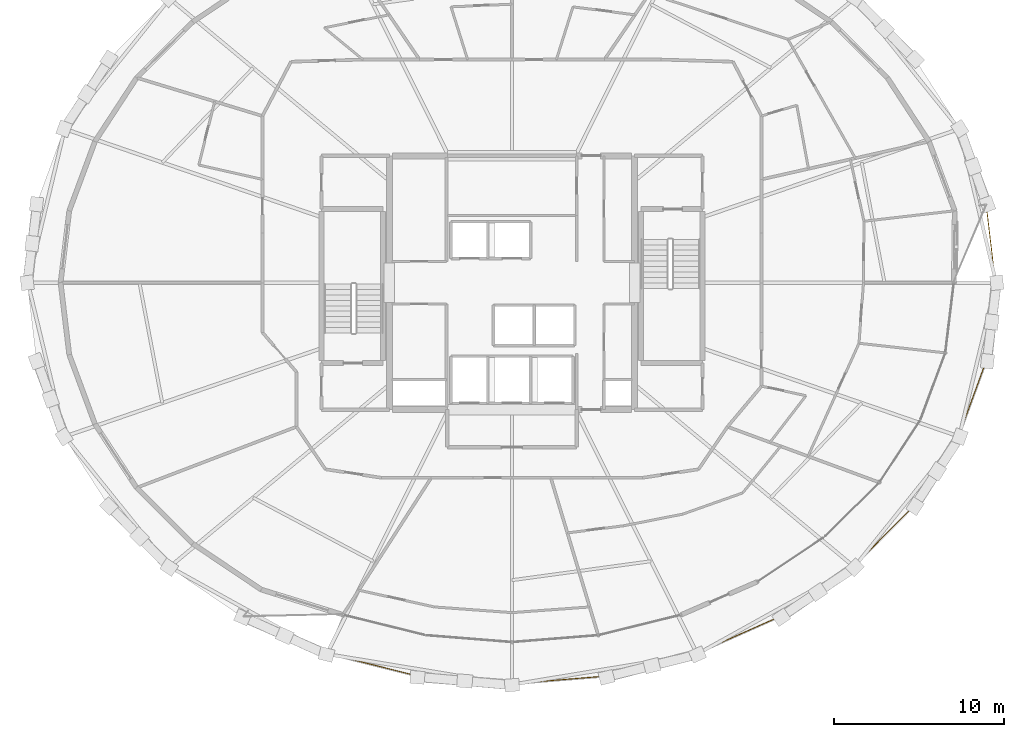
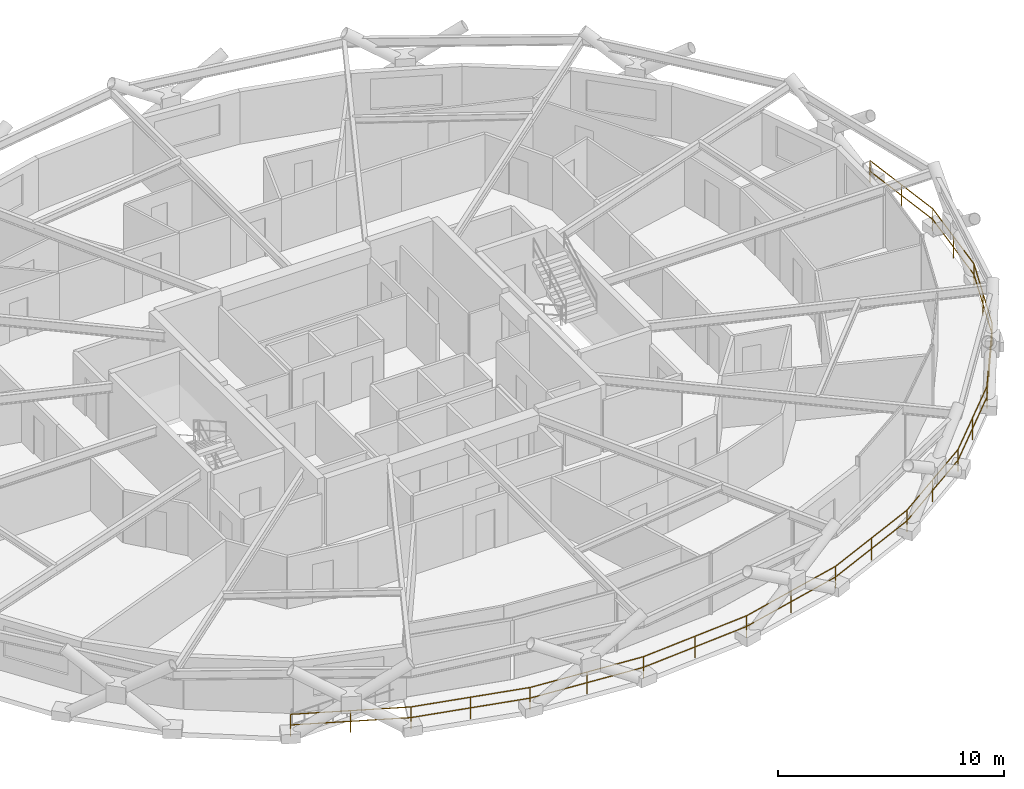
# One storey, part 20 of 21: 1 railing.
"""IFC4 building model written with IfcOpenShell, lengths in metres."""

from ifc_helpers import new_model, si_unit, direction, frame, origin, origin_2d, place, context, subcontext, project, spatial, circle, extrude, material, type_object, element, save


model = new_model("IFC4")

# Units and contexts
model_context = context("Model", 3, precision=1e-05, world=origin(), true_north=direction((0.0, 1.0)))
body_context = subcontext(model_context, "Body", "Model", "MODEL_VIEW")
ifc_project = project(units=[si_unit("LENGTHUNIT", "METRE"), si_unit("AREAUNIT", "SQUARE_METRE"), si_unit("VOLUMEUNIT", "CUBIC_METRE"), si_unit("PLANEANGLEUNIT", "RADIAN"), si_unit("MASSUNIT", "GRAM", prefix="KILO")], contexts=[model_context])

# Site, building, storey
site_placement = place(None, origin())
site = spatial("IfcSite", under=ifc_project, at=site_placement, CompositionType="ELEMENT")
building_placement = place(site_placement, origin())
building = spatial("IfcBuilding", under=site, at=building_placement, Name="Veldorina Hangang Commons", CompositionType="ELEMENT")
storey_placement = place(building_placement, frame((0.0, 0.0, 138.800048828125)))
storey = spatial("IfcBuildingStorey", under=building, at=storey_placement, Name="L35", CompositionType="ELEMENT", Elevation=138.800048828125)

# Railing
ifc_material = material(Name="Glass Laminated Safety Balustrade", Category="glass")
railing_type = type_object("IfcRailingType", Name="RL-BAL-LOGGIA", PredefinedType="BALUSTRADE", material=ifc_material)
railing_placement = place(storey_placement, frame((16.239501953125, 4.42236328125, 0.0)))
element("IfcRailing", 1, at=railing_placement, inside=storey, type_object=railing_type, Name="L35 sky-garden loggia outer balustrade", PredefinedType="BALUSTRADE", context=body_context, shape_type="SweptSolid", body=[
    extrude(circle(Radius=0.02392578125, at=origin_2d()), frame((0.0, 0.0, 1.17578125), z_axis=(0.914278140466, -0.405087005304, 0.0), x_axis=(0.405087005304, 0.914278140466, 0.0)), (0.0, 0.0, 1.0), 5.36572265625),
    extrude(circle(Radius=0.02392578125, at=origin_2d()), frame((0.0, 0.0, 0.60009765625), z_axis=(0.914278140466, -0.405087005304, 0.0), x_axis=(0.405087005304, 0.914278140466, 0.0)), (0.0, 0.0, 1.0), 5.36572265625),
    extrude(circle(Radius=0.02392578125, at=origin_2d()), frame((4.90576171875, -2.173583984375, 1.17578125), z_axis=(0.969819723692, -0.243823098859, 0.0), x_axis=(0.243823098859, 0.969819723692, 0.0)), (0.0, 0.0, 1.0), 5.487060546875),
    extrude(circle(Radius=0.02392578125, at=origin_2d()), frame((4.90576171875, -2.173583984375, 0.60009765625), z_axis=(0.969819723692, -0.243823098859, 0.0), x_axis=(0.243823098859, 0.969819723692, 0.0)), (0.0, 0.0, 1.0), 5.487060546875),
    extrude(circle(Radius=0.02392578125, at=origin_2d()), frame((10.227294921875, -3.511474609375, 1.17578125), z_axis=(0.996685052481, -0.081356660214, 0.0), x_axis=(0.081356660214, 0.996685052481, 0.0)), (0.0, 0.0, 1.0), 5.551513671875),
    extrude(circle(Radius=0.02392578125, at=origin_2d()), frame((10.227294921875, -3.511474609375, 0.60009765625), z_axis=(0.996685052481, -0.081356660214, 0.0), x_axis=(0.081356660214, 0.996685052481, 0.0)), (0.0, 0.0, 1.0), 5.551513671875),
    extrude(circle(Radius=0.02392578125, at=origin_2d()), frame((15.760498046875, -3.963134765625, 1.17578125), z_axis=(0.996685052481, 0.081356660214, 0.0), x_axis=(-0.081356660214, 0.996685052481, 0.0)), (0.0, 0.0, 1.0), 5.551513671875),
    extrude(circle(Radius=0.02392578125, at=origin_2d()), frame((15.760498046875, -3.963134765625, 0.60009765625), z_axis=(0.996685052481, 0.081356660214, 0.0), x_axis=(-0.081356660214, 0.996685052481, 0.0)), (0.0, 0.0, 1.0), 5.551513671875),
    extrude(circle(Radius=0.02392578125, at=origin_2d()), frame((21.293701171875, -3.511474609375, 1.17578125), z_axis=(0.969819723692, 0.243823098859, 0.0), x_axis=(-0.243823098859, 0.969819723692, 0.0)), (0.0, 0.0, 1.0), 5.487060546875),
    extrude(circle(Radius=0.02392578125, at=origin_2d()), frame((21.293701171875, -3.511474609375, 0.60009765625), z_axis=(0.969819723692, 0.243823098859, 0.0), x_axis=(-0.243823098859, 0.969819723692, 0.0)), (0.0, 0.0, 1.0), 5.487060546875),
    extrude(circle(Radius=0.02392578125, at=origin_2d()), frame((26.615234375, -2.173583984375, 1.17578125), z_axis=(0.914278140466, 0.405087005304, 0.0), x_axis=(-0.405087005304, 0.914278140466, 0.0)), (0.0, 0.0, 1.0), 5.36572265625),
    extrude(circle(Radius=0.02392578125, at=origin_2d()), frame((26.615234375, -2.173583984375, 0.60009765625), z_axis=(0.914278140466, 0.405087005304, 0.0), x_axis=(-0.405087005304, 0.914278140466, 0.0)), (0.0, 0.0, 1.0), 5.36572265625),
    extrude(circle(Radius=0.02392578125, at=origin_2d()), frame((31.52099609375, 0.0, 1.17578125), z_axis=(0.82678593955, 0.562516675453, 0.0), x_axis=(-0.562516675453, 0.82678593955, 0.0)), (0.0, 0.0, 1.0), 5.2021484375),
    extrude(circle(Radius=0.02392578125, at=origin_2d()), frame((31.52099609375, 0.0, 0.60009765625), z_axis=(0.82678593955, 0.562516675453, 0.0), x_axis=(-0.562516675453, 0.82678593955, 0.0)), (0.0, 0.0, 1.0), 5.2021484375),
    extrude(circle(Radius=0.02392578125, at=origin_2d()), frame((35.822021484375, 2.92626953125, 1.17578125), z_axis=(0.703473599017, 0.710721390903, 0.0), x_axis=(-0.710721390903, 0.703473599017, 0.0)), (0.0, 0.0, 1.0), 5.01904296875),
    extrude(circle(Radius=0.02392578125, at=origin_2d()), frame((35.822021484375, 2.92626953125, 0.60009765625), z_axis=(0.703473599017, 0.710721390903, 0.0), x_axis=(-0.710721390903, 0.703473599017, 0.0)), (0.0, 0.0, 1.0), 5.01904296875),
    extrude(circle(Radius=0.02392578125, at=origin_2d()), frame((39.352783203125, 6.493408203125, 1.17578125), z_axis=(0.541768605091, 0.840527678627, 0.0), x_axis=(-0.840527678627, 0.541768605091, 0.0)), (0.0, 0.0, 1.0), 4.843505859375),
    extrude(circle(Radius=0.02392578125, at=origin_2d()), frame((39.352783203125, 6.493408203125, 0.60009765625), z_axis=(0.541768605091, 0.840527678627, 0.0), x_axis=(-0.840527678627, 0.541768605091, 0.0)), (0.0, 0.0, 1.0), 4.843505859375),
    extrude(circle(Radius=0.02392578125, at=origin_2d()), frame((41.976806640625, 10.564453125, 1.17578125), z_axis=(0.343559203951, 0.939131020348, 0.0), x_axis=(-0.939131020348, 0.343559203951, 0.0)), (0.0, 0.0, 1.0), 4.704345703125),
    extrude(circle(Radius=0.02392578125, at=origin_2d()), frame((41.976806640625, 10.564453125, 0.60009765625), z_axis=(0.343559203951, 0.939131020348, 0.0), x_axis=(-0.939131020348, 0.343559203951, 0.0)), (0.0, 0.0, 1.0), 4.704345703125),
    extrude(circle(Radius=0.02392578125, at=origin_2d()), frame((43.593017578125, 14.982421875, 1.17578125), z_axis=(0.117967643955, 0.993017439414, 0.0), x_axis=(-0.993017439414, 0.117967643955, 0.0)), (0.0, 0.0, 1.0), 4.62744140625),
    extrude(circle(Radius=0.02392578125, at=origin_2d()), frame((43.593017578125, 14.982421875, 0.60009765625), z_axis=(0.117967643955, 0.993017439414, 0.0), x_axis=(-0.993017439414, 0.117967643955, 0.0)), (0.0, 0.0, 1.0), 4.62744140625),
    extrude(circle(Radius=0.02392578125, at=origin_2d()), frame((44.138916015625, 19.57763671875, 1.17578125), z_axis=(-0.117967643955, 0.993017439414, 0.0), x_axis=(-0.993017439414, -0.117967643955, 0.0)), (0.0, 0.0, 1.0), 4.62744140625),
    extrude(circle(Radius=0.02392578125, at=origin_2d()), frame((44.138916015625, 19.57763671875, 0.60009765625), z_axis=(-0.117967643955, 0.993017439414, 0.0), x_axis=(-0.993017439414, -0.117967643955, 0.0)), (0.0, 0.0, 1.0), 4.62744140625),
    extrude(circle(Radius=0.02099609375, at=origin_2d()), origin(), (0.0, 0.0, 1.0), 1.15185546875),
    extrude(circle(Radius=0.02099609375, at=origin_2d()), frame((2.452880859375, -1.0869140625, 0.0)), (0.0, 0.0, 1.0), 1.15185546875),
    extrude(circle(Radius=0.02099609375, at=origin_2d()), frame((4.90576171875, -2.173583984375, 0.0)), (0.0, 0.0, 1.0), 1.15185546875),
    extrude(circle(Radius=0.02099609375, at=origin_2d()), frame((7.56640625, -2.842529296875, 0.0)), (0.0, 0.0, 1.0), 1.15185546875),
    extrude(circle(Radius=0.02099609375, at=origin_2d()), frame((10.227294921875, -3.511474609375, 0.0)), (0.0, 0.0, 1.0), 1.15185546875),
    extrude(circle(Radius=0.02099609375, at=origin_2d()), frame((12.993896484375, -3.7373046875, 0.0)), (0.0, 0.0, 1.0), 1.15185546875),
    extrude(circle(Radius=0.02099609375, at=origin_2d()), frame((15.760498046875, -3.963134765625, 0.0)), (0.0, 0.0, 1.0), 1.15185546875),
    extrude(circle(Radius=0.02099609375, at=origin_2d()), frame((18.527099609375, -3.7373046875, 0.0)), (0.0, 0.0, 1.0), 1.15185546875),
    extrude(circle(Radius=0.02099609375, at=origin_2d()), frame((21.293701171875, -3.511474609375, 0.0)), (0.0, 0.0, 1.0), 1.15185546875),
    extrude(circle(Radius=0.02099609375, at=origin_2d()), frame((23.95458984375, -2.842529296875, 0.0)), (0.0, 0.0, 1.0), 1.15185546875),
    extrude(circle(Radius=0.02099609375, at=origin_2d()), frame((26.615234375, -2.173583984375, 0.0)), (0.0, 0.0, 1.0), 1.15185546875),
    extrude(circle(Radius=0.02099609375, at=origin_2d()), frame((29.068115234375, -1.0869140625, 0.0)), (0.0, 0.0, 1.0), 1.15185546875),
    extrude(circle(Radius=0.02099609375, at=origin_2d()), frame((31.52099609375, 0.0, 0.0)), (0.0, 0.0, 1.0), 1.15185546875),
    extrude(circle(Radius=0.02099609375, at=origin_2d()), frame((33.67138671875, 1.463134765625, 0.0)), (0.0, 0.0, 1.0), 1.15185546875),
    extrude(circle(Radius=0.02099609375, at=origin_2d()), frame((35.822021484375, 2.92626953125, 0.0)), (0.0, 0.0, 1.0), 1.15185546875),
    extrude(circle(Radius=0.02099609375, at=origin_2d()), frame((37.58740234375, 4.7099609375, 0.0)), (0.0, 0.0, 1.0), 1.15185546875),
    extrude(circle(Radius=0.02099609375, at=origin_2d()), frame((39.352783203125, 6.493408203125, 0.0)), (0.0, 0.0, 1.0), 1.15185546875),
    extrude(circle(Radius=0.02099609375, at=origin_2d()), frame((40.664794921875, 8.52880859375, 0.0)), (0.0, 0.0, 1.0), 1.15185546875),
    extrude(circle(Radius=0.02099609375, at=origin_2d()), frame((41.976806640625, 10.564453125, 0.0)), (0.0, 0.0, 1.0), 1.15185546875),
    extrude(circle(Radius=0.02099609375, at=origin_2d()), frame((42.784912109375, 12.7734375, 0.0)), (0.0, 0.0, 1.0), 1.15185546875),
    extrude(circle(Radius=0.02099609375, at=origin_2d()), frame((43.593017578125, 14.982421875, 0.0)), (0.0, 0.0, 1.0), 1.15185546875),
    extrude(circle(Radius=0.02099609375, at=origin_2d()), frame((43.865966796875, 17.280029296875, 0.0)), (0.0, 0.0, 1.0), 1.15185546875),
    extrude(circle(Radius=0.02099609375, at=origin_2d()), frame((44.138916015625, 19.57763671875, 0.0)), (0.0, 0.0, 1.0), 1.15185546875),
    extrude(circle(Radius=0.02099609375, at=origin_2d()), frame((43.865966796875, 21.875244140625, 0.0)), (0.0, 0.0, 1.0), 1.15185546875),
    extrude(circle(Radius=0.02099609375, at=origin_2d()), frame((43.593017578125, 24.1728515625, 0.0)), (0.0, 0.0, 1.0), 1.15185546875),
])

save(model, "model.ifc")
